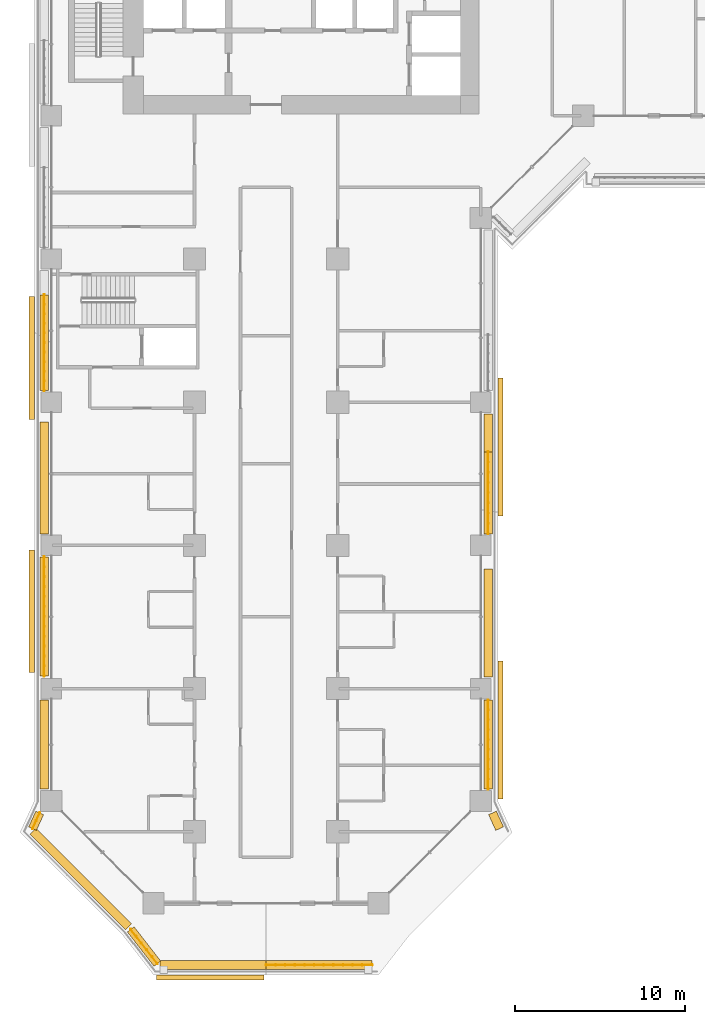
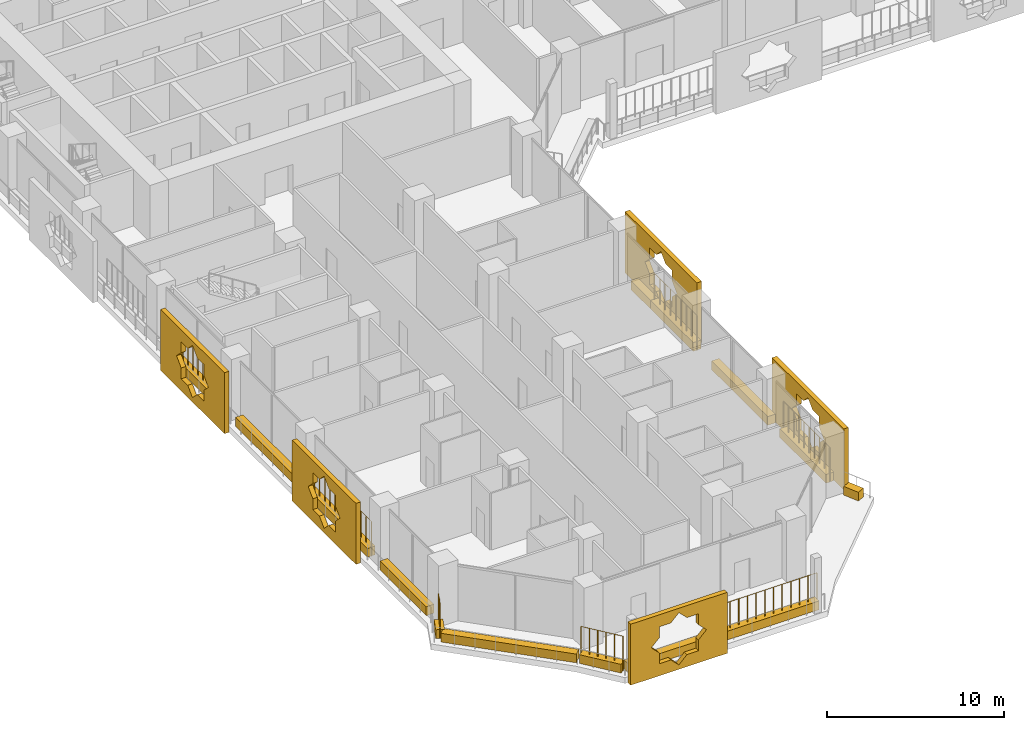
# One storey, part 21 of 28: 19 coverings, 7 railings.
"""IFC4 building model written with IfcOpenShell, lengths in metres."""

from ifc_helpers import new_model, si_unit, direction, frame, origin, origin_2d, place, context, subcontext, project, spatial, polyline, rectangle, circle, outline, extrude, material, material_profile, profile_set, type_object, element, save


model = new_model("IFC4")

# Units and contexts
model_context = context("Model", 3, precision=1e-05, world=origin(), true_north=direction((0.0, 1.0)))
body_context = subcontext(model_context, "Body", "Model", "MODEL_VIEW")
ifc_project = project(units=[si_unit("LENGTHUNIT", "METRE"), si_unit("AREAUNIT", "SQUARE_METRE"), si_unit("VOLUMEUNIT", "CUBIC_METRE"), si_unit("PLANEANGLEUNIT", "RADIAN"), si_unit("MASSUNIT", "GRAM", prefix="KILO")], contexts=[model_context])

# Site, building, storey
site_placement = place(None, origin())
site = spatial("IfcSite", under=ifc_project, at=site_placement, CompositionType="ELEMENT")
building_placement = place(site_placement, origin())
building = spatial("IfcBuilding", under=site, at=building_placement, Name="Kawkab Arch Medical Tower", CompositionType="ELEMENT")
storey_placement = place(building_placement, frame((0.0, 0.0, 77.0)))
storey = spatial("IfcBuildingStorey", under=building, at=storey_placement, Name="L17", CompositionType="ELEMENT", Elevation=77.0)

# Coverings
ifc_material_1 = material(Name="Bronze anodised aluminium mashrabiya panel, eight-point star pattern", Category="aluminium")
ifc_material_profile_1 = material_profile(ifc_material_1, outline(polyline([(-3.14990234375, -2.10009765625), (3.14990234375, -2.10009765625), (3.14990234375, 2.10009765625), (-3.14990234375, 2.10009765625), (-3.14990234375, -2.10009765625)]), holes=[polyline([(1.800048828125, 0.0), (1.272705078125, 0.527099609375), (1.272705078125, 1.272705078125), (0.527099609375, 1.272705078125), (0.0, 1.800048828125), (-0.527099609375, 1.272705078125), (-1.272705078125, 1.272705078125), (-1.272705078125, 0.527099609375), (-1.800048828125, 0.0), (-1.272705078125, -0.527099609375), (-1.272705078125, -1.272705078125), (-0.527099609375, -1.272705078125), (0.0, -1.800048828125), (0.527099609375, -1.272705078125), (1.272705078125, -1.272705078125), (1.272705078125, -0.527099609375), (1.800048828125, 0.0)])]), Name="Mashrabiya panel 6300x4200")
ifc_profile_set_1 = profile_set([ifc_material_profile_1], Name="Bronze anodised aluminium mashrabiya panel, eight-point star pattern")
covering_type_1 = type_object("IfcCoveringType", Name="Mashrabiya panel 6300 x 4200", PredefinedType="USERDEFINED", material=ifc_profile_set_1)
covering_1_placement = place(storey_placement, frame((9.322509765625, -75.60009765625, 1.699951171875), z_axis=(0.0, -1.0, 0.0), x_axis=(1.0, 0.0, 0.0)))
element("IfcCovering", 1, at=covering_1_placement, inside=storey, type_object=covering_type_1, Name="Mashrabiya panel L17.LOG-01-01.1", ObjectType="SCREEN", PredefinedType="USERDEFINED", context=body_context, shape_type="SweptSolid", body=[
    extrude(outline(polyline([(-3.14990234375, -2.10009765625), (3.14990234375, -2.10009765625), (3.14990234375, 2.10009765625), (-3.14990234375, 2.10009765625), (-3.14990234375, -2.10009765625)]), holes=[polyline([(1.800048828125, 0.0), (1.272705078125, 0.527099609375), (1.272705078125, 1.272705078125), (0.527099609375, 1.272705078125), (0.0, 1.800048828125), (-0.527099609375, 1.272705078125), (-1.272705078125, 1.272705078125), (-1.272705078125, 0.527099609375), (-1.800048828125, 0.0), (-1.272705078125, -0.527099609375), (-1.272705078125, -1.272705078125), (-0.527099609375, -1.272705078125), (0.0, -1.800048828125), (0.527099609375, -1.272705078125), (1.272705078125, -1.272705078125), (1.272705078125, -0.527099609375), (1.800048828125, 0.0)])]), origin(), (0.0, 0.0, 1.0), 0.2998046875),
])
ifc_material_2 = material(Name="Bronze anodised aluminium mashrabiya panel, eight-point star pattern", Category="aluminium")
ifc_material_profile_2 = material_profile(ifc_material_2, outline(polyline([(-3.60009765625, -2.10009765625), (3.60009765625, -2.10009765625), (3.60009765625, 2.10009765625), (-3.60009765625, 2.10009765625), (-3.60009765625, -2.10009765625)]), holes=[polyline([(1.800048828125, 0.0), (1.272705078125, 0.527099609375), (1.272705078125, 1.272705078125), (0.527099609375, 1.272705078125), (0.0, 1.800048828125), (-0.527099609375, 1.272705078125), (-1.272705078125, 1.272705078125), (-1.272705078125, 0.527099609375), (-1.800048828125, 0.0), (-1.272705078125, -0.527099609375), (-1.272705078125, -1.272705078125), (-0.527099609375, -1.272705078125), (0.0, -1.800048828125), (0.527099609375, -1.272705078125), (1.272705078125, -1.272705078125), (1.272705078125, -0.527099609375), (1.800048828125, 0.0)])]), Name="Mashrabiya panel 7200x4200")
ifc_profile_set_2 = profile_set([ifc_material_profile_2], Name="Bronze anodised aluminium mashrabiya panel, eight-point star pattern")
covering_type_2 = type_object("IfcCoveringType", Name="Mashrabiya panel 7200 x 4200", PredefinedType="USERDEFINED", material=ifc_profile_set_2)
for number, where, z_axis, x_axis, name in (
    (2, (-1.0, -54.263916015625, 1.699951171875), (-1.0, 0.0, 0.0), (0.0, -1.0, 0.0), "Mashrabiya panel L17.LOG-01-01.2"),
    (3, (-1.0, -39.412841796875, 1.699951171875), (-1.0, 0.0, 0.0), (0.0, -1.0, 0.0), "Mashrabiya panel L17.LOG-01-01.3"),
):
    element("IfcCovering", number, at=place(storey_placement, frame(where, z_axis=z_axis, x_axis=x_axis)), inside=storey, type_object=covering_type_2, Name=name, ObjectType="SCREEN", PredefinedType="USERDEFINED", context=body_context, shape_type="SweptSolid", body=[
        extrude(outline(polyline([(-3.60009765625, -2.10009765625), (3.60009765625, -2.10009765625), (3.60009765625, 2.10009765625), (-3.60009765625, 2.10009765625), (-3.60009765625, -2.10009765625)]), holes=[polyline([(1.800048828125, 0.0), (1.272705078125, 0.527099609375), (1.272705078125, 1.272705078125), (0.527099609375, 1.272705078125), (0.0, 1.800048828125), (-0.527099609375, 1.272705078125), (-1.272705078125, 1.272705078125), (-1.272705078125, 0.527099609375), (-1.800048828125, 0.0), (-1.272705078125, -0.527099609375), (-1.272705078125, -1.272705078125), (-0.527099609375, -1.272705078125), (0.0, -1.800048828125), (0.527099609375, -1.272705078125), (1.272705078125, -1.272705078125), (1.272705078125, -0.527099609375), (1.800048828125, 0.0)])]), origin(), (0.0, 0.0, 1.0), 0.300048828125),
    ])
ifc_material_3 = material(Name="Bronze anodised aluminium mashrabiya panel, eight-point star pattern", Category="aluminium")
ifc_material_profile_3 = material_profile(ifc_material_3, outline(polyline([(-4.050048828125, -2.10009765625), (4.050048828125, -2.10009765625), (4.050048828125, 2.10009765625), (-4.050048828125, 2.10009765625), (-4.050048828125, -2.10009765625)]), holes=[polyline([(1.800048828125, 0.0), (1.272705078125, 0.527099609375), (1.272705078125, 1.272705078125), (0.527099609375, 1.272705078125), (0.0, 1.800048828125), (-0.527099609375, 1.272705078125), (-1.272705078125, 1.272705078125), (-1.272705078125, 0.527099609375), (-1.800048828125, 0.0), (-1.272705078125, -0.527099609375), (-1.272705078125, -1.272705078125), (-0.527099609375, -1.272705078125), (0.0, -1.800048828125), (0.527099609375, -1.272705078125), (1.272705078125, -1.272705078125), (1.272705078125, -0.527099609375), (1.800048828125, 0.0)])]), Name="Mashrabiya panel 8100x4200")
ifc_profile_set_3 = profile_set([ifc_material_profile_3], Name="Bronze anodised aluminium mashrabiya panel, eight-point star pattern")
covering_type_3 = type_object("IfcCoveringType", Name="Mashrabiya panel 8100 x 4200", PredefinedType="USERDEFINED", material=ifc_profile_set_3)
for number, where, z_axis, x_axis, name in (
    (4, (26.199951171875, -44.639892578125, 1.699951171875), (1.0, 0.0, 0.0), (0.0, 1.0, 0.0), "Mashrabiya panel L17.LOG-01-01.14"),
    (5, (26.199951171875, -61.229736328125, 1.699951171875), (1.0, 0.0, 0.0), (0.0, 1.0, 0.0), "Mashrabiya panel L17.LOG-01-01.15"),
):
    element("IfcCovering", number, at=place(storey_placement, frame(where, z_axis=z_axis, x_axis=x_axis)), inside=storey, type_object=covering_type_3, Name=name, ObjectType="SCREEN", PredefinedType="USERDEFINED", context=body_context, shape_type="SweptSolid", body=[
        extrude(outline(polyline([(-4.050048828125, -2.10009765625), (4.050048828125, -2.10009765625), (4.050048828125, 2.10009765625), (-4.050048828125, 2.10009765625), (-4.050048828125, -2.10009765625)]), holes=[polyline([(1.800048828125, 0.0), (1.272705078125, 0.527099609375), (1.272705078125, 1.272705078125), (0.527099609375, 1.272705078125), (0.0, 1.800048828125), (-0.527099609375, 1.272705078125), (-1.272705078125, 1.272705078125), (-1.272705078125, 0.527099609375), (-1.800048828125, 0.0), (-1.272705078125, -0.527099609375), (-1.272705078125, -1.272705078125), (-0.527099609375, -1.272705078125), (0.0, -1.800048828125), (0.527099609375, -1.272705078125), (1.272705078125, -1.272705078125), (1.272705078125, -0.527099609375), (1.800048828125, 0.0)])]), origin(), (0.0, 0.0, 1.0), 0.300048828125),
    ])
ifc_material_4 = material(Name="Planting soil in a precast trough", Category="concrete")
ifc_material_profile_4 = material_profile(ifc_material_4, rectangle(XDim=0.5, YDim=0.60009765625, at=origin_2d()), Name="Trough 500x600")
ifc_profile_set_4 = profile_set([ifc_material_profile_4], Name="Planting soil in a precast trough")
covering_type_4 = type_object("IfcCoveringType", Name="Planter trough 500 x 600", PredefinedType="USERDEFINED", material=ifc_profile_set_4)
covering_2_placement = place(storey_placement, frame((18.81591796875, -75.02001953125, 0.300048828125), z_axis=(-1.0, 0.0, 0.0), x_axis=(0.0, -1.0, 0.0)))
element("IfcCovering", 6, at=covering_2_placement, inside=storey, type_object=covering_type_4, Name="Planter L17.LOG-01-01.1", ObjectType="PLANTER", PredefinedType="USERDEFINED", context=body_context, shape_type="SweptSolid", body=[
    extrude(rectangle(XDim=0.5, YDim=0.60009765625, at=origin_2d()), origin(), (0.0, 0.0, 1.0), 6.2158203125),
])
covering_3_placement = place(storey_placement, frame((12.60009765625, -75.02001953125, 0.300048828125), z_axis=(-1.0, 0.0, 0.0), x_axis=(0.0, -1.0, 0.0)))
element("IfcCovering", 7, at=covering_3_placement, inside=storey, type_object=covering_type_4, Name="Planter L17.LOG-01-01.2", ObjectType="PLANTER", PredefinedType="USERDEFINED", context=body_context, shape_type="SweptSolid", body=[
    extrude(rectangle(XDim=0.5, YDim=0.60009765625, at=origin_2d()), origin(), (0.0, 0.0, 1.0), 6.216064453125),
])
covering_4_placement = place(storey_placement, frame((6.221923828125, -74.94091796875, 0.300048828125), z_axis=(-0.61404021143, 0.789274742246, 0.0), x_axis=(-0.789274742246, -0.61404021143, 0.0)))
element("IfcCovering", 8, at=covering_4_placement, inside=storey, type_object=covering_type_4, Name="Planter L17.LOG-01-01.3", ObjectType="PLANTER", PredefinedType="USERDEFINED", context=body_context, shape_type="SweptSolid", body=[
    extrude(rectangle(XDim=0.5, YDim=0.60009765625, at=origin_2d()), origin(), (0.0, 0.0, 1.0), 2.54541015625),
])
covering_5_placement = place(storey_placement, frame((4.527099609375, -72.782958984375, 0.300048828125), z_axis=(-0.70712219479, 0.707091367247, 0.0), x_axis=(-0.707091367247, -0.70712219479, 0.0)))
element("IfcCovering", 9, at=covering_5_placement, inside=storey, type_object=covering_type_4, Name="Planter L17.LOG-01-01.4", ObjectType="PLANTER", PredefinedType="USERDEFINED", context=body_context, shape_type="SweptSolid", body=[
    extrude(rectangle(XDim=0.5, YDim=0.60009765625, at=origin_2d()), origin(), (0.0, 0.0, 1.0), 7.919677734375),
])
covering_6_placement = place(storey_placement, frame((-1.10205078125, -67.02099609375, 0.300048828125), z_axis=(0.415071571878, 0.909788761317, 0.0), x_axis=(-0.909788761317, 0.415071571878, 0.0)))
element("IfcCovering", 10, at=covering_6_placement, inside=storey, type_object=covering_type_4, Name="Planter L17.LOG-01-01.5", ObjectType="PLANTER", PredefinedType="USERDEFINED", context=body_context, shape_type="SweptSolid", body=[
    extrude(rectangle(XDim=0.5, YDim=0.60009765625, at=origin_2d()), origin(), (0.0, 0.0, 1.0), 1.0146484375),
])
covering_7_placement = place(storey_placement, frame((-0.419921875, -64.695068359375, 0.300048828125), z_axis=(0.0, 1.0, 0.0), x_axis=(-1.0, 0.0, 0.0)))
element("IfcCovering", 11, at=covering_7_placement, inside=storey, type_object=covering_type_4, Name="Planter L17.LOG-01-01.6", ObjectType="PLANTER", PredefinedType="USERDEFINED", context=body_context, shape_type="SweptSolid", body=[
    extrude(rectangle(XDim=0.5, YDim=0.60009765625, at=origin_2d()), origin(), (0.0, 0.0, 1.0), 5.215087890625),
])
covering_8_placement = place(storey_placement, frame((-0.419921875, -58.069091796875, 0.300048828125), z_axis=(0.0, 1.0, 0.0), x_axis=(-1.0, 0.0, 0.0)))
element("IfcCovering", 12, at=covering_8_placement, inside=storey, type_object=covering_type_4, Name="Planter L17.LOG-01-01.7", ObjectType="PLANTER", PredefinedType="USERDEFINED", context=body_context, shape_type="SweptSolid", body=[
    extrude(rectangle(XDim=0.5, YDim=0.60009765625, at=origin_2d()), origin(), (0.0, 0.0, 1.0), 6.989013671875),
])
covering_9_placement = place(storey_placement, frame((-0.419921875, -49.719970703125, 0.300048828125), z_axis=(0.0, 1.0, 0.0), x_axis=(-1.0, 0.0, 0.0)))
element("IfcCovering", 13, at=covering_9_placement, inside=storey, type_object=covering_type_4, Name="Planter L17.LOG-01-01.8", ObjectType="PLANTER", PredefinedType="USERDEFINED", context=body_context, shape_type="SweptSolid", body=[
    extrude(rectangle(XDim=0.5, YDim=0.60009765625, at=origin_2d()), origin(), (0.0, 0.0, 1.0), 6.56396484375),
])
covering_10_placement = place(storey_placement, frame((-0.419921875, -41.320068359375, 0.300048828125), z_axis=(0.0, 1.0, 0.0), x_axis=(-1.0, 0.0, 0.0)))
element("IfcCovering", 14, at=covering_10_placement, inside=storey, type_object=covering_type_4, Name="Planter L17.LOG-01-01.9", ObjectType="PLANTER", PredefinedType="USERDEFINED", context=body_context, shape_type="SweptSolid", body=[
    extrude(rectangle(XDim=0.5, YDim=0.60009765625, at=origin_2d()), origin(), (0.0, 0.0, 1.0), 5.6201171875),
])
covering_11_placement = place(storey_placement, frame((25.6201171875, -42.679931640625, 0.300048828125), z_axis=(0.0, -1.0, 0.0), x_axis=(1.0, 0.0, 0.0)))
element("IfcCovering", 15, at=covering_11_placement, inside=storey, type_object=covering_type_4, Name="Planter L17.LOG-01-01.46", ObjectType="PLANTER", PredefinedType="USERDEFINED", context=body_context, shape_type="SweptSolid", body=[
    extrude(rectangle(XDim=0.5, YDim=0.60009765625, at=origin_2d()), origin(), (0.0, 0.0, 1.0), 2.240966796875),
])
covering_12_placement = place(storey_placement, frame((25.6201171875, -44.9208984375, 0.300048828125), z_axis=(0.0, -1.0, 0.0), x_axis=(1.0, 0.0, 0.0)))
element("IfcCovering", 16, at=covering_12_placement, inside=storey, type_object=covering_type_4, Name="Planter L17.LOG-01-01.47", ObjectType="PLANTER", PredefinedType="USERDEFINED", context=body_context, shape_type="SweptSolid", body=[
    extrude(rectangle(XDim=0.5, YDim=0.60009765625, at=origin_2d()), origin(), (0.0, 0.0, 1.0), 4.799072265625),
])
covering_13_placement = place(storey_placement, frame((25.6201171875, -51.7890625, 0.300048828125), z_axis=(0.0, -1.0, 0.0), x_axis=(1.0, 0.0, 0.0)))
element("IfcCovering", 17, at=covering_13_placement, inside=storey, type_object=covering_type_4, Name="Planter L17.LOG-01-01.48", ObjectType="PLANTER", PredefinedType="USERDEFINED", context=body_context, shape_type="SweptSolid", body=[
    extrude(rectangle(XDim=0.5, YDim=0.60009765625, at=origin_2d()), origin(), (0.0, 0.0, 1.0), 6.3310546875),
])
covering_14_placement = place(storey_placement, frame((25.6201171875, -59.47998046875, 0.300048828125), z_axis=(0.0, -1.0, 0.0), x_axis=(1.0, 0.0, 0.0)))
element("IfcCovering", 18, at=covering_14_placement, inside=storey, type_object=covering_type_4, Name="Planter L17.LOG-01-01.49", ObjectType="PLANTER", PredefinedType="USERDEFINED", context=body_context, shape_type="SweptSolid", body=[
    extrude(rectangle(XDim=0.5, YDim=0.60009765625, at=origin_2d()), origin(), (0.0, 0.0, 1.0), 5.215087890625),
])
covering_15_placement = place(storey_placement, frame((25.881103515625, -66.097900390625, 0.300048828125), z_axis=(0.414872376122, -0.909879613757, 0.0), x_axis=(0.909879613757, 0.414872376122, 0.0)))
element("IfcCovering", 19, at=covering_15_placement, inside=storey, type_object=covering_type_4, Name="Planter L17.LOG-01-01.50", ObjectType="PLANTER", PredefinedType="USERDEFINED", context=body_context, shape_type="SweptSolid", body=[
    extrude(rectangle(XDim=0.5, YDim=0.60009765625, at=origin_2d()), origin(), (0.0, 0.0, 1.0), 1.014404296875),
])

# Railings
ifc_material_5 = material(Name="Bronze anodised aluminium trellis for climbing plants", Category="aluminium")
railing_type = type_object("IfcRailingType", Name="Planting trellis 2400", PredefinedType="USERDEFINED", material=ifc_material_5)
railing_1_placement = place(storey_placement, frame((18.81591796875, -75.02001953125, 0.0)))
element("IfcRailing", 20, at=railing_1_placement, inside=storey, type_object=railing_type, Name="Planting trellis L17.LOG-01-01.1", ObjectType="TRELLIS", PredefinedType="USERDEFINED", context=body_context, shape_type="SweptSolid", body=[
    extrude(circle(Radius=0.01513671875, at=origin_2d()), frame((0.0, 0.0, 2.384765625), z_axis=(-1.0, 0.0, 0.0), x_axis=(0.0, -1.0, 0.0)), (0.0, 0.0, 1.0), 6.2158203125),
    extrude(circle(Radius=0.030029296875, at=origin_2d()), origin(), (0.0, 0.0, 1.0), 2.369873046875),
    extrude(circle(Radius=0.030029296875, at=origin_2d()), frame((-0.565185546875, 0.0, 0.0)), (0.0, 0.0, 1.0), 2.369873046875),
    extrude(circle(Radius=0.030029296875, at=origin_2d()), frame((-1.130126953125, 0.0, 0.0)), (0.0, 0.0, 1.0), 2.369873046875),
    extrude(circle(Radius=0.030029296875, at=origin_2d()), frame((-1.6953125, 0.0, 0.0)), (0.0, 0.0, 1.0), 2.369873046875),
    extrude(circle(Radius=0.030029296875, at=origin_2d()), frame((-2.26025390625, 0.0, 0.0)), (0.0, 0.0, 1.0), 2.369873046875),
    extrude(circle(Radius=0.030029296875, at=origin_2d()), frame((-2.825439453125, 0.0, 0.0)), (0.0, 0.0, 1.0), 2.369873046875),
    extrude(circle(Radius=0.030029296875, at=origin_2d()), frame((-3.390380859375, 0.0, 0.0)), (0.0, 0.0, 1.0), 2.369873046875),
    extrude(circle(Radius=0.030029296875, at=origin_2d()), frame((-3.95556640625, 0.0, 0.0)), (0.0, 0.0, 1.0), 2.369873046875),
    extrude(circle(Radius=0.030029296875, at=origin_2d()), frame((-4.5205078125, 0.0, 0.0)), (0.0, 0.0, 1.0), 2.369873046875),
    extrude(circle(Radius=0.030029296875, at=origin_2d()), frame((-5.085693359375, 0.0, 0.0)), (0.0, 0.0, 1.0), 2.369873046875),
    extrude(circle(Radius=0.030029296875, at=origin_2d()), frame((-5.650634765625, 0.0, 0.0)), (0.0, 0.0, 1.0), 2.369873046875),
    extrude(circle(Radius=0.030029296875, at=origin_2d()), frame((-6.2158203125, 0.0, 0.0)), (0.0, 0.0, 1.0), 2.369873046875),
])
railing_2_placement = place(storey_placement, frame((6.221923828125, -74.94091796875, 0.0)))
element("IfcRailing", 21, at=railing_2_placement, inside=storey, type_object=railing_type, Name="Planting trellis L17.LOG-01-01.3", ObjectType="TRELLIS", PredefinedType="USERDEFINED", context=body_context, shape_type="SweptSolid", body=[
    extrude(circle(Radius=0.01513671875, at=origin_2d()), frame((0.0, 0.0, 2.384765625), z_axis=(-0.61404021143, 0.789274742246, 0.0), x_axis=(-0.789274742246, -0.61404021143, 0.0)), (0.0, 0.0, 1.0), 2.54541015625),
    extrude(circle(Radius=0.030029296875, at=origin_2d()), origin(), (0.0, 0.0, 1.0), 2.369873046875),
    extrude(circle(Radius=0.030029296875, at=origin_2d()), frame((-0.3125, 0.40185546875, 0.0)), (0.0, 0.0, 1.0), 2.369873046875),
    extrude(circle(Radius=0.030029296875, at=origin_2d()), frame((-0.625244140625, 0.8037109375, 0.0)), (0.0, 0.0, 1.0), 2.369873046875),
    extrude(circle(Radius=0.030029296875, at=origin_2d()), frame((-0.937744140625, 1.205322265625, 0.0)), (0.0, 0.0, 1.0), 2.369873046875),
    extrude(circle(Radius=0.030029296875, at=origin_2d()), frame((-1.25048828125, 1.607177734375, 0.0)), (0.0, 0.0, 1.0), 2.369873046875),
    extrude(circle(Radius=0.030029296875, at=origin_2d()), frame((-1.56298828125, 2.009033203125, 0.0)), (0.0, 0.0, 1.0), 2.369873046875),
])
railing_3_placement = place(storey_placement, frame((-1.10205078125, -67.02099609375, 0.0)))
element("IfcRailing", 22, at=railing_3_placement, inside=storey, type_object=railing_type, Name="Planting trellis L17.LOG-01-01.5", ObjectType="TRELLIS", PredefinedType="USERDEFINED", context=body_context, shape_type="SweptSolid", body=[
    extrude(circle(Radius=0.01513671875, at=origin_2d()), frame((0.0, 0.0, 2.384765625), z_axis=(0.415071571878, 0.909788761317, 0.0), x_axis=(-0.909788761317, 0.415071571878, 0.0)), (0.0, 0.0, 1.0), 1.0146484375),
    extrude(circle(Radius=0.030029296875, at=origin_2d()), origin(), (0.0, 0.0, 1.0), 2.369873046875),
    extrude(circle(Radius=0.030029296875, at=origin_2d()), frame((0.21044921875, 0.46142578125, 0.0)), (0.0, 0.0, 1.0), 2.369873046875),
    extrude(circle(Radius=0.030029296875, at=origin_2d()), frame((0.421142578125, 0.923095703125, 0.0)), (0.0, 0.0, 1.0), 2.369873046875),
])
railing_4_placement = place(storey_placement, frame((-0.419921875, -58.069091796875, 0.0)))
element("IfcRailing", 23, at=railing_4_placement, inside=storey, type_object=railing_type, Name="Planting trellis L17.LOG-01-01.7", ObjectType="TRELLIS", PredefinedType="USERDEFINED", context=body_context, shape_type="SweptSolid", body=[
    extrude(circle(Radius=0.01513671875, at=origin_2d()), frame((0.0, 0.0, 2.384765625), z_axis=(0.0, 1.0, 0.0), x_axis=(-1.0, 0.0, 0.0)), (0.0, 0.0, 1.0), 6.989013671875),
    extrude(circle(Radius=0.030029296875, at=origin_2d()), origin(), (0.0, 0.0, 1.0), 2.369873046875),
    extrude(circle(Radius=0.030029296875, at=origin_2d()), frame((0.0, 0.58251953125, 0.0)), (0.0, 0.0, 1.0), 2.369873046875),
    extrude(circle(Radius=0.030029296875, at=origin_2d()), frame((0.0, 1.164794921875, 0.0)), (0.0, 0.0, 1.0), 2.369873046875),
    extrude(circle(Radius=0.030029296875, at=origin_2d()), frame((0.0, 1.747314453125, 0.0)), (0.0, 0.0, 1.0), 2.369873046875),
    extrude(circle(Radius=0.030029296875, at=origin_2d()), frame((0.0, 2.32958984375, 0.0)), (0.0, 0.0, 1.0), 2.369873046875),
    extrude(circle(Radius=0.030029296875, at=origin_2d()), frame((0.0, 2.912109375, 0.0)), (0.0, 0.0, 1.0), 2.369873046875),
    extrude(circle(Radius=0.030029296875, at=origin_2d()), frame((0.0, 3.49462890625, 0.0)), (0.0, 0.0, 1.0), 2.369873046875),
    extrude(circle(Radius=0.030029296875, at=origin_2d()), frame((0.0, 4.076904296875, 0.0)), (0.0, 0.0, 1.0), 2.369873046875),
    extrude(circle(Radius=0.030029296875, at=origin_2d()), frame((0.0, 4.659423828125, 0.0)), (0.0, 0.0, 1.0), 2.369873046875),
    extrude(circle(Radius=0.030029296875, at=origin_2d()), frame((0.0, 5.24169921875, 0.0)), (0.0, 0.0, 1.0), 2.369873046875),
    extrude(circle(Radius=0.030029296875, at=origin_2d()), frame((0.0, 5.82421875, 0.0)), (0.0, 0.0, 1.0), 2.369873046875),
    extrude(circle(Radius=0.030029296875, at=origin_2d()), frame((0.0, 6.406494140625, 0.0)), (0.0, 0.0, 1.0), 2.369873046875),
    extrude(circle(Radius=0.030029296875, at=origin_2d()), frame((0.0, 6.989013671875, 0.0)), (0.0, 0.0, 1.0), 2.369873046875),
])
railing_5_placement = place(storey_placement, frame((-0.419921875, -41.320068359375, 0.0)))
element("IfcRailing", 24, at=railing_5_placement, inside=storey, type_object=railing_type, Name="Planting trellis L17.LOG-01-01.9", ObjectType="TRELLIS", PredefinedType="USERDEFINED", context=body_context, shape_type="SweptSolid", body=[
    extrude(circle(Radius=0.01513671875, at=origin_2d()), frame((0.0, 0.0, 2.384765625), z_axis=(0.0, 1.0, 0.0), x_axis=(-1.0, 0.0, 0.0)), (0.0, 0.0, 1.0), 5.6201171875),
    extrude(circle(Radius=0.030029296875, at=origin_2d()), origin(), (0.0, 0.0, 1.0), 2.369873046875),
    extrude(circle(Radius=0.030029296875, at=origin_2d()), frame((0.0, 0.56201171875, 0.0)), (0.0, 0.0, 1.0), 2.369873046875),
    extrude(circle(Radius=0.030029296875, at=origin_2d()), frame((0.0, 1.1240234375, 0.0)), (0.0, 0.0, 1.0), 2.369873046875),
    extrude(circle(Radius=0.030029296875, at=origin_2d()), frame((0.0, 1.68603515625, 0.0)), (0.0, 0.0, 1.0), 2.369873046875),
    extrude(circle(Radius=0.030029296875, at=origin_2d()), frame((0.0, 2.248046875, 0.0)), (0.0, 0.0, 1.0), 2.369873046875),
    extrude(circle(Radius=0.030029296875, at=origin_2d()), frame((0.0, 2.81005859375, 0.0)), (0.0, 0.0, 1.0), 2.369873046875),
    extrude(circle(Radius=0.030029296875, at=origin_2d()), frame((0.0, 3.3720703125, 0.0)), (0.0, 0.0, 1.0), 2.369873046875),
    extrude(circle(Radius=0.030029296875, at=origin_2d()), frame((0.0, 3.93408203125, 0.0)), (0.0, 0.0, 1.0), 2.369873046875),
    extrude(circle(Radius=0.030029296875, at=origin_2d()), frame((0.0, 4.49609375, 0.0)), (0.0, 0.0, 1.0), 2.369873046875),
    extrude(circle(Radius=0.030029296875, at=origin_2d()), frame((0.0, 5.05810546875, 0.0)), (0.0, 0.0, 1.0), 2.369873046875),
    extrude(circle(Radius=0.030029296875, at=origin_2d()), frame((0.0, 5.6201171875, 0.0)), (0.0, 0.0, 1.0), 2.369873046875),
])
railing_6_placement = place(storey_placement, frame((25.6201171875, -44.9208984375, 0.0)))
element("IfcRailing", 25, at=railing_6_placement, inside=storey, type_object=railing_type, Name="Planting trellis L17.LOG-01-01.47", ObjectType="TRELLIS", PredefinedType="USERDEFINED", context=body_context, shape_type="SweptSolid", body=[
    extrude(circle(Radius=0.01513671875, at=origin_2d()), frame((0.0, 0.0, 2.384765625), z_axis=(0.0, -1.0, 0.0), x_axis=(1.0, 0.0, 0.0)), (0.0, 0.0, 1.0), 4.799072265625),
    extrude(circle(Radius=0.030029296875, at=origin_2d()), origin(), (0.0, 0.0, 1.0), 2.369873046875),
    extrude(circle(Radius=0.030029296875, at=origin_2d()), frame((0.0, -0.599853515625, 0.0)), (0.0, 0.0, 1.0), 2.369873046875),
    extrude(circle(Radius=0.030029296875, at=origin_2d()), frame((0.0, -1.19970703125, 0.0)), (0.0, 0.0, 1.0), 2.369873046875),
    extrude(circle(Radius=0.030029296875, at=origin_2d()), frame((0.0, -1.799560546875, 0.0)), (0.0, 0.0, 1.0), 2.369873046875),
    extrude(circle(Radius=0.030029296875, at=origin_2d()), frame((0.0, -2.3994140625, 0.0)), (0.0, 0.0, 1.0), 2.369873046875),
    extrude(circle(Radius=0.030029296875, at=origin_2d()), frame((0.0, -2.99951171875, 0.0)), (0.0, 0.0, 1.0), 2.369873046875),
    extrude(circle(Radius=0.030029296875, at=origin_2d()), frame((0.0, -3.599365234375, 0.0)), (0.0, 0.0, 1.0), 2.369873046875),
    extrude(circle(Radius=0.030029296875, at=origin_2d()), frame((0.0, -4.19921875, 0.0)), (0.0, 0.0, 1.0), 2.369873046875),
    extrude(circle(Radius=0.030029296875, at=origin_2d()), frame((0.0, -4.799072265625, 0.0)), (0.0, 0.0, 1.0), 2.369873046875),
])
railing_7_placement = place(storey_placement, frame((25.6201171875, -59.47998046875, 0.0)))
element("IfcRailing", 26, at=railing_7_placement, inside=storey, type_object=railing_type, Name="Planting trellis L17.LOG-01-01.49", ObjectType="TRELLIS", PredefinedType="USERDEFINED", context=body_context, shape_type="SweptSolid", body=[
    extrude(circle(Radius=0.01513671875, at=origin_2d()), frame((0.0, 0.0, 2.384765625), z_axis=(0.0, -1.0, 0.0), x_axis=(1.0, 0.0, 0.0)), (0.0, 0.0, 1.0), 5.215087890625),
    extrude(circle(Radius=0.030029296875, at=origin_2d()), origin(), (0.0, 0.0, 1.0), 2.369873046875),
    extrude(circle(Radius=0.030029296875, at=origin_2d()), frame((0.0, -0.579345703125, 0.0)), (0.0, 0.0, 1.0), 2.369873046875),
    extrude(circle(Radius=0.030029296875, at=origin_2d()), frame((0.0, -1.158935546875, 0.0)), (0.0, 0.0, 1.0), 2.369873046875),
    extrude(circle(Radius=0.030029296875, at=origin_2d()), frame((0.0, -1.73828125, 0.0)), (0.0, 0.0, 1.0), 2.369873046875),
    extrude(circle(Radius=0.030029296875, at=origin_2d()), frame((0.0, -2.31787109375, 0.0)), (0.0, 0.0, 1.0), 2.369873046875),
    extrude(circle(Radius=0.030029296875, at=origin_2d()), frame((0.0, -2.897216796875, 0.0)), (0.0, 0.0, 1.0), 2.369873046875),
    extrude(circle(Radius=0.030029296875, at=origin_2d()), frame((0.0, -3.476806640625, 0.0)), (0.0, 0.0, 1.0), 2.369873046875),
    extrude(circle(Radius=0.030029296875, at=origin_2d()), frame((0.0, -4.05615234375, 0.0)), (0.0, 0.0, 1.0), 2.369873046875),
    extrude(circle(Radius=0.030029296875, at=origin_2d()), frame((0.0, -4.6357421875, 0.0)), (0.0, 0.0, 1.0), 2.369873046875),
    extrude(circle(Radius=0.030029296875, at=origin_2d()), frame((0.0, -5.215087890625, 0.0)), (0.0, 0.0, 1.0), 2.369873046875),
])

save(model, "model.ifc")
